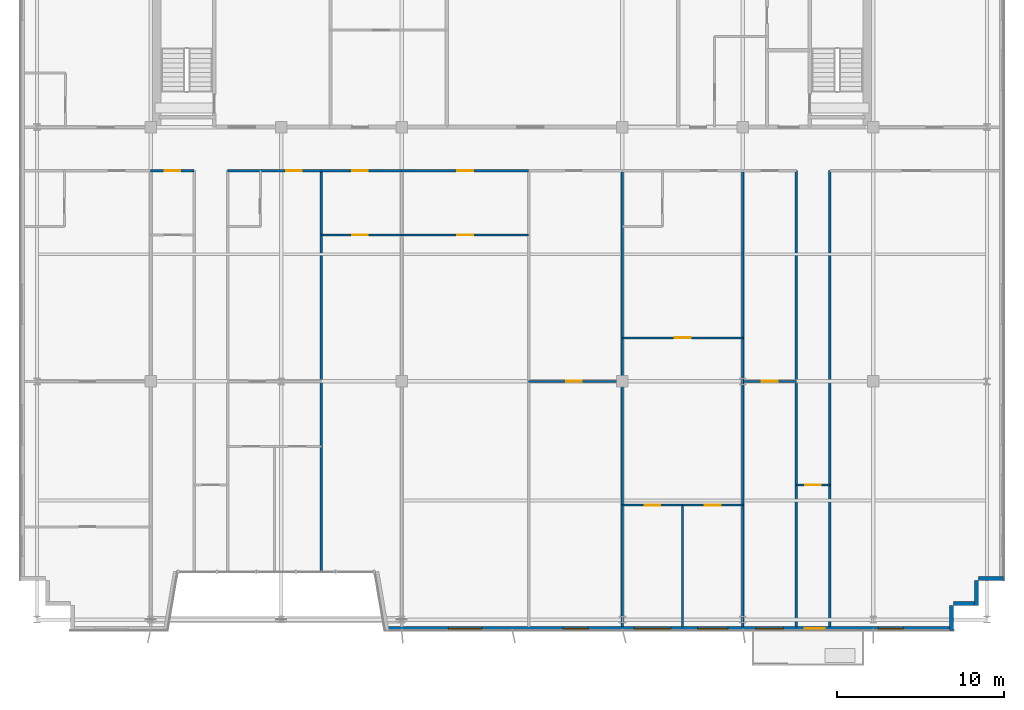
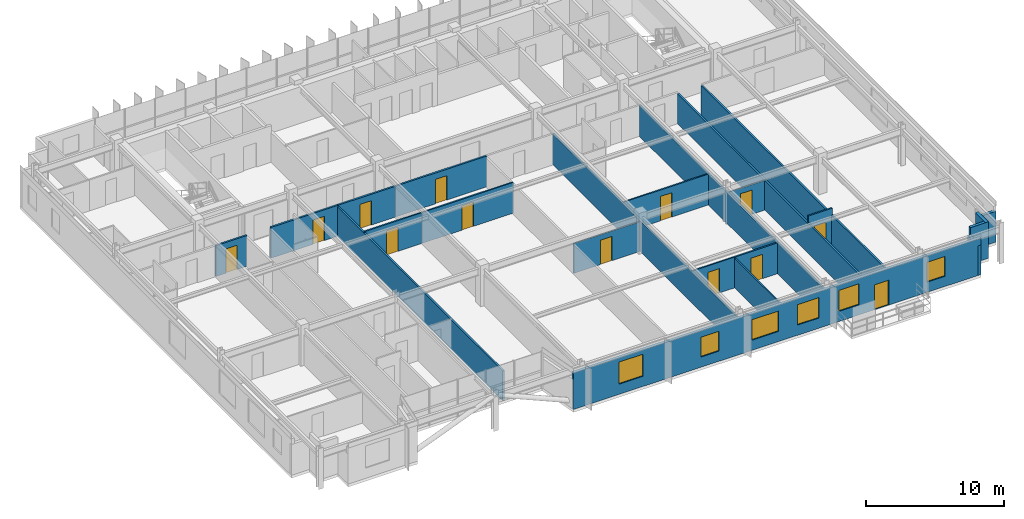
# One storey, part 19 of 24: 23 walls, 13 doors, 6 windows, 19 openings.
"""IFC4 building model written with IfcOpenShell, lengths in metres."""

import ifcopenshell
import ifcopenshell.guid

model = None  # the IFC model being written
_history = None  # IfcOwnerHistory: only IFC2X3 demands one
_inside = {}  # id of a spatial element -> (the spatial element, [elements in it])
_under = {}  # id of a project, library or spatial element -> (it, [spatial elements below it])
_declared = {}  # id of a project -> (the project, [libraries it declares])
_typed = {}  # id of a type object -> (the type object, [elements of that type])
_made_of = {}  # id of a material, layer set ... -> (it, [elements and type objects made of it])


def new_model(schema):
    """Start an empty IFC model of exactly this schema.

    Asked for "IFC4X3", IfcOpenShell would pick the latest addendum, in which some entities
    have other attributes; the version numbers below select the first issue.
    IFC2X3 requires an IfcOwnerHistory on every rooted entity: one is made here for all.
    """
    global model, _history
    if schema == "IFC4X3":
        model = ifcopenshell.file(schema_version=(4, 3, 0, 0))
    else:
        model = ifcopenshell.file(schema=schema)
    _inside.clear()
    _under.clear()
    _declared.clear()
    _typed.clear()
    _made_of.clear()
    _history = None
    if model.schema == "IFC2X3":
        org = make("IfcOrganization", Name="unknown")
        user = make(
            "IfcPersonAndOrganization",
            ThePerson=make("IfcPerson", FamilyName="unknown"),
            TheOrganization=org,
        )
        app = make(
            "IfcApplication",
            ApplicationDeveloper=org,
            Version="unknown",
            ApplicationFullName="unknown",
            ApplicationIdentifier="unknown",
        )
        _history = make(
            "IfcOwnerHistory",
            OwningUser=user,
            OwningApplication=app,
            ChangeAction="ADDED",
            CreationDate=0,
        )
    return model


def make(cls, **values):
    """One entity of the class cls with the attributes given. An attribute that is None is left unset."""
    return model.create_entity(
        cls, **{name: value for name, value in values.items() if value is not None}
    )


def rooted(cls, **values):
    """An entity with a GlobalId (a new one), such as an element, a storey or a relation."""
    return make(cls, GlobalId=ifcopenshell.guid.new(), OwnerHistory=_history, **values)


def si_unit(unit_type, name, prefix=None):
    """IfcSIUnit, for example si_unit("LENGTHUNIT", "METRE", prefix="MILLI")."""
    return make("IfcSIUnit", UnitType=unit_type, Prefix=prefix, Name=name)


def assignment(units):
    """IfcUnitAssignment: the units of a project."""
    return None if units is None else make("IfcUnitAssignment", Units=units)


def point(xyz):
    """IfcCartesianPoint."""
    return None if xyz is None else make("IfcCartesianPoint", Coordinates=xyz)


def direction(xyz):
    """IfcDirection."""
    return None if xyz is None else make("IfcDirection", DirectionRatios=xyz)


def frame(location, z_axis=None, x_axis=None):
    """IfcAxis2Placement3D, a coordinate frame: its origin and axes. An axis left out is left unset."""
    return make(
        "IfcAxis2Placement3D",
        Location=point(location),
        Axis=direction(z_axis),
        RefDirection=direction(x_axis),
    )


def frame_2d(location, x_axis=None):
    """IfcAxis2Placement2D, a coordinate frame in the plane: its origin and x axis."""
    return make(
        "IfcAxis2Placement2D", Location=point(location), RefDirection=direction(x_axis)
    )


def origin():
    """The frame at (0, 0, 0) with its axes left unset."""
    return frame((0.0, 0.0, 0.0))


def place(relative_to, where):
    """IfcLocalPlacement: puts the frame where relative to a parent placement (None: the world)."""
    return make(
        "IfcLocalPlacement", PlacementRelTo=relative_to, RelativePlacement=where
    )


def context(
    kind, dimensions, precision=None, world=None, true_north=None, identifier=None
):
    """IfcGeometricRepresentationContext, for example the 3D "Model" context."""
    return make(
        "IfcGeometricRepresentationContext",
        ContextIdentifier=identifier,
        ContextType=kind,
        CoordinateSpaceDimension=dimensions,
        Precision=precision,
        WorldCoordinateSystem=world,
        TrueNorth=true_north,
    )


def subcontext(parent, identifier, kind, view, scale=None):
    """IfcGeometricRepresentationSubContext, for example "Body" below "Model"."""
    return make(
        "IfcGeometricRepresentationSubContext",
        ContextIdentifier=identifier,
        ContextType=kind,
        ParentContext=parent,
        TargetScale=scale,
        TargetView=view,
    )


def project(units=None, contexts=None):
    """IfcProject with its units and contexts."""
    return rooted(
        "IfcProject",
        Name="project",
        RepresentationContexts=contexts,
        UnitsInContext=assignment(units),
    )


def spatial(cls, under=None, at=None, **own):
    """A site, building, storey or space (cls), placed at a placement, below another one or the project."""
    s = rooted(cls, ObjectPlacement=at, **own)
    if under is not None:
        _under.setdefault(under.id(), (under, []))[1].append(s)
    return s


def profile(cls, at=None, kind="AREA", **sizes):
    """A parametric profile (cls). Its sizes go by their IFC names, for example OverallWidth=200.0."""
    return make(cls, ProfileType=kind, Position=at, **sizes)


def rectangle(**sizes):
    """IfcRectangleProfileDef."""
    return profile("IfcRectangleProfileDef", **sizes)


def extrude(swept, where, along, depth):
    """IfcExtrudedAreaSolid: the profile swept, set in the frame where, extruded along a direction by depth."""
    return make(
        "IfcExtrudedAreaSolid",
        SweptArea=swept,
        Position=where,
        ExtrudedDirection=direction(along),
        Depth=depth,
    )


def shape(context_of_items, identifier, shape_type, items):
    """IfcShapeRepresentation: the items that make up one representation, for example the "Body"."""
    return make(
        "IfcShapeRepresentation",
        ContextOfItems=context_of_items,
        RepresentationIdentifier=identifier,
        RepresentationType=shape_type,
        Items=items,
    )


def source(mapping_origin, context_of_items, identifier, shape_type, items):
    """IfcRepresentationMap: a shape defined once, which mapped items show again and again."""
    return make(
        "IfcRepresentationMap",
        MappingOrigin=mapping_origin,
        MappedRepresentation=shape(context_of_items, identifier, shape_type, items),
    )


def transform(
    local_origin,
    x_axis=None,
    y_axis=None,
    z_axis=None,
    scale=None,
    scale2=None,
    scale3=None,
    uniform=True,
):
    """IfcCartesianTransformationOperator3D, or its non-uniform kind. x_axis, y_axis, z_axis: its Axis1, 2, 3."""
    if uniform:
        return make(
            "IfcCartesianTransformationOperator3D",
            Axis1=direction(x_axis),
            Axis2=direction(y_axis),
            LocalOrigin=point(local_origin),
            Scale=scale,
            Axis3=direction(z_axis),
        )
    return make(
        "IfcCartesianTransformationOperator3DnonUniform",
        Axis1=direction(x_axis),
        Axis2=direction(y_axis),
        LocalOrigin=point(local_origin),
        Scale=scale,
        Axis3=direction(z_axis),
        Scale2=scale2,
        Scale3=scale3,
    )


def mapped(mapping_source, mapping_target):
    """IfcMappedItem: shows the shape of a source again, moved by a transform."""
    return make(
        "IfcMappedItem", MappingSource=mapping_source, MappingTarget=mapping_target
    )


def material(Name=None, Category=None):
    """IfcMaterial."""
    return make("IfcMaterial", Name=Name, Category=Category)


def layer(
    of_material, thickness, ventilated=None, Name=None, Category=None, Priority=None
):
    """IfcMaterialLayer: one layer of a wall or slab, of a material (None: an air gap)."""
    return make(
        "IfcMaterialLayer",
        Material=of_material,
        LayerThickness=thickness,
        IsVentilated=ventilated,
        Name=Name,
        Category=Category,
        Priority=Priority,
    )


def layer_set(layers, Name=None):
    """IfcMaterialLayerSet."""
    return make("IfcMaterialLayerSet", MaterialLayers=layers, LayerSetName=Name)


def made_of(thing, what):
    """Note that an element or type object is made of a material, layer set ...; save() writes the relation."""
    if what is not None:
        _made_of.setdefault(what.id(), (what, []))[1].append(thing)
    return thing


def type_object(cls, material=None, **own):
    """A type object (cls), such as IfcWallType, which elements share."""
    return made_of(rooted(cls, **own), material)


def element(
    cls,
    number,
    at=None,
    inside=None,
    cuts=None,
    type_object=None,
    material=None,
    context=None,
    identifier="Body",
    shape_type=None,
    held_by="IfcProductDefinitionShape",
    body=None,
    shapes=None,
    **own,
):
    """One element of the class cls, such as IfcWall. Its Tag is "e" and its number.

    at: its placement. inside: the storey or other place that contains it. cuts: it is an
    opening in that element (IfcRelVoidsElement). A single representation is given by context,
    identifier, shape_type and body (its items); several are given by shapes. held_by: the class
    of the entity that holds the representations. save() writes the other relations.
    """
    e = rooted(cls, Tag="e%d" % number, ObjectPlacement=at, **own)
    if body is not None:
        shapes = [shape(context, identifier, shape_type, body)]
    if shapes is not None:
        e.Representation = make(held_by, Representations=shapes)
    if inside is not None:
        _inside.setdefault(inside.id(), (inside, []))[1].append(e)
    if cuts is not None:
        rooted(
            "IfcRelVoidsElement", RelatingBuildingElement=cuts, RelatedOpeningElement=e
        )
    if type_object is not None:
        _typed.setdefault(type_object.id(), (type_object, []))[1].append(e)
    return made_of(e, material)


def fill(opening, filler):
    """IfcRelFillsElement: the door or window that sits in an opening."""
    return rooted(
        "IfcRelFillsElement",
        RelatingOpeningElement=opening,
        RelatedBuildingElement=filler,
    )


def aggregate(whole, parts):
    """IfcRelAggregates: a whole, such as a stair, and the parts it consists of."""
    return rooted("IfcRelAggregates", RelatingObject=whole, RelatedObjects=parts)


def save(model, path):
    """Write the relations noted so far, then the file.

    IfcRelAggregates (storeys below a building ...), IfcRelContainedInSpatialStructure (elements
    in a storey), IfcRelDefinesByType, IfcRelAssociatesMaterial and IfcRelDeclares: one each for
    every whole, place, type object, material and project.
    """
    for whole, parts in _under.values():
        aggregate(whole, parts)
    for where, things in _inside.values():
        rooted(
            "IfcRelContainedInSpatialStructure",
            RelatedElements=things,
            RelatingStructure=where,
        )
    for kind, things in _typed.values():
        rooted("IfcRelDefinesByType", RelatedObjects=things, RelatingType=kind)
    for what, things in _made_of.values():
        rooted("IfcRelAssociatesMaterial", RelatedObjects=things, RelatingMaterial=what)
    for by, libraries in _declared.values():
        rooted("IfcRelDeclares", RelatingContext=by, RelatedDefinitions=libraries)
    model.write(path)


model = new_model("IFC4")

# Units and contexts
model_context = context("Model", 3, precision=1e-05, world=origin(), true_north=direction((0.0, 1.0)))
body_context = subcontext(model_context, "Body", "Model", "MODEL_VIEW")
ifc_project = project(units=[si_unit("LENGTHUNIT", "METRE"), si_unit("AREAUNIT", "SQUARE_METRE"), si_unit("VOLUMEUNIT", "CUBIC_METRE"), si_unit("PLANEANGLEUNIT", "RADIAN"), si_unit("MASSUNIT", "GRAM", prefix="KILO")], contexts=[model_context])

# Site, building, storey
site_placement = place(None, origin())
site = spatial("IfcSite", under=ifc_project, at=site_placement, CompositionType="ELEMENT")
building_placement = place(site_placement, origin())
building = spatial("IfcBuilding", under=site, at=building_placement, Name="Trelvane Seafront Commons", CompositionType="ELEMENT")
storey_placement = place(building_placement, frame((0.0, 0.0, 178.89990234375)))
storey = spatial("IfcBuildingStorey", under=building, at=storey_placement, Name="L47", CompositionType="ELEMENT", Elevation=178.89990234375)

# Walls
ifc_material_1 = material(Name="Precast concrete C40/50", Category="concrete")
ifc_layer_1 = layer(ifc_material_1, 0.239990234375, Name="ARCH-WALL-EXT240")
ifc_layer_set_1 = layer_set([ifc_layer_1], Name="Precast concrete C40/50")
wall_type_1 = type_object("IfcWallType", Name="ARCH-WALL-EXT240", PredefinedType="SOLIDWALL", material=ifc_layer_set_1)
wall_1_placement = place(storey_placement, frame((66.60009765625, 6.419921875, 0.0), z_axis=(0.0, 0.0, 1.0), x_axis=(-1.0, 0.0, 0.0)))
element("IfcWall", 1, at=wall_1_placement, inside=storey, type_object=wall_type_1, Name="EW-L47-00948", PredefinedType="SOLIDWALL", context=body_context, shape_type="SweptSolid", body=[
    extrude(rectangle(XDim=1.5, YDim=0.239990234375, at=frame_2d((0.75, 0.0))), origin(), (0.0, 0.0, 1.0), 2.72021484375),
])
for number, where, z_axis, x_axis, name in (
    (2, (64.97998046875, 6.300048828125, 0.0), (0.0, 0.0, 1.0), (0.0, -1.0, 0.0), "EW-L47-00949"),
    (3, (65.10009765625, 4.919921875, 0.0), (0.0, 0.0, 1.0), (-1.0, 0.0, 0.0), "EW-L47-00950"),
):
    element("IfcWall", number, at=place(storey_placement, frame(where, z_axis=z_axis, x_axis=x_axis)), inside=storey, type_object=wall_type_1, Name=name, PredefinedType="SOLIDWALL", context=body_context, shape_type="SweptSolid", body=[
        extrude(rectangle(XDim=1.5, YDim=0.239990234375, at=frame_2d((0.75, 0.0))), origin(), (0.0, 0.0, 1.0), 3.22021484375),
    ])
wall_2_placement = place(storey_placement, frame((63.47998046875, 4.800048828125, 0.0), z_axis=(0.0, 0.0, 1.0), x_axis=(0.0, -1.0, 0.0)))
element("IfcWall", 4, at=wall_2_placement, inside=storey, type_object=wall_type_1, Name="EW-L47-00951", PredefinedType="SOLIDWALL", context=body_context, shape_type="SweptSolid", body=[
    extrude(rectangle(XDim=1.5, YDim=0.239990234375, at=frame_2d((0.75, 0.0))), origin(), (0.0, 0.0, 1.0), 2.6201171875),
])

# Wall, openings, door, windows
wall_3_placement = place(storey_placement, frame((63.60009765625, 3.419921875, 0.0), z_axis=(0.0, 0.0, 1.0), x_axis=(-1.0, 0.0, 0.0)))
wall_3 = element("IfcWall", 5, at=wall_3_placement, inside=storey, type_object=wall_type_1, Name="EW-L47-00952", PredefinedType="SOLIDWALL", context=body_context, shape_type="SweptSolid", body=[
    extrude(rectangle(XDim=34.0, YDim=0.239990234375, at=frame_2d((17.0, 0.0))), origin(), (0.0, 0.0, 1.0), 3.22021484375),
])
opening_1_placement = place(wall_3_placement, frame((2.9951171875, 0.0, 0.89990234375)))
opening_1 = element("IfcOpeningElement", 6, at=opening_1_placement, cuts=wall_3, Name="Opening W03", PredefinedType="OPENING", context=body_context, shape_type="SweptSolid", body=[
    extrude(rectangle(XDim=1.5, YDim=1.75, at=frame_2d((0.75, 0.875))), frame((0.0, 0.1298828125, 0.0), z_axis=(0.0, -1.0, 0.0), x_axis=(1.0, 0.0, 0.0)), (0.0, 0.0, 1.0), 0.260009765625),
])
opening_2_placement = place(wall_3_placement, frame((7.68994140625, 0.0, 0.0)))
opening_2 = element("IfcOpeningElement", 7, at=opening_2_placement, cuts=wall_3, Name="Opening BD-L47-106", PredefinedType="OPENING", context=body_context, shape_type="SweptSolid", body=[
    extrude(rectangle(XDim=1.199951171875, YDim=2.199951171875, at=frame_2d((0.60009765625, 1.10009765625))), frame((0.0, 0.1298828125, 0.0), z_axis=(0.0, -1.0, 0.0), x_axis=(1.0, 0.0, 0.0)), (0.0, 0.0, 1.0), 0.260009765625),
])
opening_3_placement = place(wall_3_placement, frame((10.175048828125, 0.0, 0.89990234375)))
opening_3 = element("IfcOpeningElement", 8, at=opening_3_placement, cuts=wall_3, Name="Opening W07", PredefinedType="OPENING", context=body_context, shape_type="SweptSolid", body=[
    extrude(rectangle(XDim=1.64990234375, YDim=1.85009765625, at=frame_2d((0.824951171875, 0.925048828125))), frame((0.0, 0.1298828125, 0.0), z_axis=(0.0, -1.0, 0.0), x_axis=(1.0, 0.0, 0.0)), (0.0, 0.0, 1.0), 0.260009765625),
])
opening_4_placement = place(wall_3_placement, frame((13.5, 0.0, 0.89990234375)))
opening_4 = element("IfcOpeningElement", 9, at=opening_4_placement, cuts=wall_3, Name="Opening W01", PredefinedType="OPENING", context=body_context, shape_type="SweptSolid", body=[
    extrude(rectangle(XDim=1.800048828125, YDim=1.800048828125, at=frame_2d((0.89990234375, 0.89990234375))), frame((0.0, 0.1298828125, 0.0), z_axis=(0.0, -1.0, 0.0), x_axis=(1.0, 0.0, 0.0)), (0.0, 0.0, 1.0), 0.260009765625),
])
opening_5_placement = place(wall_3_placement, frame((16.89990234375, 0.0, 0.89990234375)))
opening_5 = element("IfcOpeningElement", 10, at=opening_5_placement, cuts=wall_3, Name="Opening W02", PredefinedType="OPENING", context=body_context, shape_type="SweptSolid", body=[
    extrude(rectangle(XDim=2.199951171875, YDim=1.800048828125, at=frame_2d((1.10009765625, 0.89990234375))), frame((0.0, 0.1298828125, 0.0), z_axis=(0.0, -1.0, 0.0), x_axis=(1.0, 0.0, 0.0)), (0.0, 0.0, 1.0), 0.260009765625),
])
opening_6_placement = place(wall_3_placement, frame((21.85009765625, 0.0, 0.89990234375)))
opening_6 = element("IfcOpeningElement", 11, at=opening_6_placement, cuts=wall_3, Name="Opening W03", PredefinedType="OPENING", context=body_context, shape_type="SweptSolid", body=[
    extrude(rectangle(XDim=1.5, YDim=1.75, at=frame_2d((0.75, 0.875))), frame((0.0, 0.1298828125, 0.0), z_axis=(0.0, -1.0, 0.0), x_axis=(1.0, 0.0, 0.0)), (0.0, 0.0, 1.0), 0.260009765625),
])
opening_7_placement = place(wall_3_placement, frame((28.199951171875, 0.0, 0.89990234375)))
opening_7 = element("IfcOpeningElement", 12, at=opening_7_placement, cuts=wall_3, Name="Opening W06", PredefinedType="OPENING", context=body_context, shape_type="SweptSolid", body=[
    extrude(rectangle(XDim=2.0, YDim=1.949951171875, at=frame_2d((1.0, 0.97509765625))), frame((0.0, 0.1298828125, 0.0), z_axis=(0.0, -1.0, 0.0), x_axis=(1.0, 0.0, 0.0)), (0.0, 0.0, 1.0), 0.260009765625),
])
ifc_material_2 = material(Name="Powder-coated aluminium frame", Category="aluminium")
door_type_1 = type_object("IfcDoorType", Name="ARCH-DR-BAL1200", OperationType="NOTDEFINED", PredefinedType="DOOR", material=ifc_material_2)
shared_shape_1 = source(origin(), body_context, "Body", "SweptSolid", [
    extrude(rectangle(XDim=1.199951171875, YDim=2.199951171875, at=frame_2d((0.60009765625, 1.10009765625))), frame((0.0, 0.02490234375, 0.0), z_axis=(0.0, -1.0, 0.0), x_axis=(1.0, 0.0, 0.0)), (0.0, 0.0, 1.0), 0.050048828125),
])
door_1_placement = place(opening_2_placement, origin())
door_1 = element("IfcDoor", 13, at=door_1_placement, inside=storey, type_object=door_type_1, Name="L47 Balcony Terrace Access Door", OperationType="SINGLE_SWING_LEFT", OverallHeight=2.199951171875, OverallWidth=1.199951171875, PredefinedType="DOOR", context=body_context, shape_type="MappedRepresentation", body=[
    mapped(shared_shape_1, transform((0.0, 0.0, 0.0), x_axis=(1.0, 0.0, 0.0), y_axis=(0.0, 1.0, 0.0), z_axis=(0.0, 0.0, 1.0), scale=1.0)),
])
fill(opening_2, door_1)
ifc_material_3 = material(Name="Low-E coastal double glazing", Category="glass")
window_type_1 = type_object("IfcWindowType", Name="ARCH-WIN-W02", PartitioningType="SINGLE_PANEL", PredefinedType="WINDOW", material=ifc_material_3)
shared_shape_2 = source(origin(), body_context, "Body", "SweptSolid", [
    extrude(rectangle(XDim=2.199951171875, YDim=1.800048828125, at=frame_2d((1.10009765625, 0.89990234375))), frame((0.0, 0.030029296875, 0.0), z_axis=(0.0, -1.0, 0.0), x_axis=(1.0, 0.0, 0.0)), (0.0, 0.0, 1.0), 0.06005859375),
])
window_1_placement = place(opening_5_placement, origin())
window_1 = element("IfcWindow", 14, at=window_1_placement, inside=storey, type_object=window_type_1, Name="WIN-L47-01130", OverallHeight=1.800048828125, OverallWidth=2.199951171875, PartitioningType="SINGLE_PANEL", PredefinedType="WINDOW", context=body_context, shape_type="MappedRepresentation", body=[
    mapped(shared_shape_2, transform((0.0, 0.0, 0.0), x_axis=(1.0, 0.0, 0.0), y_axis=(0.0, 1.0, 0.0), z_axis=(0.0, 0.0, 1.0), scale=1.0)),
])
fill(opening_5, window_1)
window_type_2 = type_object("IfcWindowType", Name="ARCH-WIN-W03", PartitioningType="SINGLE_PANEL", PredefinedType="WINDOW", material=ifc_material_3)
shared_shape_3 = source(origin(), body_context, "Body", "SweptSolid", [
    extrude(rectangle(XDim=1.5, YDim=1.75, at=frame_2d((0.75, 0.875))), frame((0.0, 0.030029296875, 0.0), z_axis=(0.0, -1.0, 0.0), x_axis=(1.0, 0.0, 0.0)), (0.0, 0.0, 1.0), 0.06005859375),
])
window_2_placement = place(opening_1_placement, origin())
window_2 = element("IfcWindow", 15, at=window_2_placement, inside=storey, type_object=window_type_2, Name="WIN-L47-01127", OverallHeight=1.75, OverallWidth=1.5, PartitioningType="SINGLE_PANEL", PredefinedType="WINDOW", context=body_context, shape_type="MappedRepresentation", body=[
    mapped(shared_shape_3, transform((0.0, 0.0, 0.0), x_axis=(1.0, 0.0, 0.0), y_axis=(0.0, 1.0, 0.0), z_axis=(0.0, 0.0, 1.0), scale=1.0)),
])
fill(opening_1, window_2)
window_3_placement = place(opening_6_placement, origin())
window_3 = element("IfcWindow", 16, at=window_3_placement, inside=storey, type_object=window_type_2, Name="WIN-L47-01131", OverallHeight=1.75, OverallWidth=1.5, PartitioningType="SINGLE_PANEL", PredefinedType="WINDOW", context=body_context, shape_type="MappedRepresentation", body=[
    mapped(shared_shape_3, transform((0.0, 0.0, 0.0), x_axis=(1.0, 0.0, 0.0), y_axis=(0.0, 1.0, 0.0), z_axis=(0.0, 0.0, 1.0), scale=1.0)),
])
fill(opening_6, window_3)
window_type_3 = type_object("IfcWindowType", Name="ARCH-WIN-W06", PartitioningType="SINGLE_PANEL", PredefinedType="WINDOW", material=ifc_material_3)
shared_shape_4 = source(origin(), body_context, "Body", "SweptSolid", [
    extrude(rectangle(XDim=2.0, YDim=1.949951171875, at=frame_2d((1.0, 0.97509765625))), frame((0.0, 0.030029296875, 0.0), z_axis=(0.0, -1.0, 0.0), x_axis=(1.0, 0.0, 0.0)), (0.0, 0.0, 1.0), 0.06005859375),
])
window_4_placement = place(opening_7_placement, origin())
window_4 = element("IfcWindow", 17, at=window_4_placement, inside=storey, type_object=window_type_3, Name="WIN-L47-01132", OverallHeight=1.949951171875, OverallWidth=2.0, PartitioningType="SINGLE_PANEL", PredefinedType="WINDOW", context=body_context, shape_type="MappedRepresentation", body=[
    mapped(shared_shape_4, transform((0.0, 0.0, 0.0), x_axis=(1.0, 0.0, 0.0), y_axis=(0.0, 1.0, 0.0), z_axis=(0.0, 0.0, 1.0), scale=1.0)),
])
fill(opening_7, window_4)
window_type_4 = type_object("IfcWindowType", Name="ARCH-WIN-W01", PartitioningType="SINGLE_PANEL", PredefinedType="WINDOW", material=ifc_material_3)
shared_shape_5 = source(origin(), body_context, "Body", "SweptSolid", [
    extrude(rectangle(XDim=1.800048828125, YDim=1.800048828125, at=frame_2d((0.89990234375, 0.89990234375))), frame((0.0, 0.030029296875, 0.0), z_axis=(0.0, -1.0, 0.0), x_axis=(1.0, 0.0, 0.0)), (0.0, 0.0, 1.0), 0.06005859375),
])
window_5_placement = place(opening_4_placement, origin())
window_5 = element("IfcWindow", 18, at=window_5_placement, inside=storey, type_object=window_type_4, Name="WIN-L47-01129", OverallHeight=1.800048828125, OverallWidth=1.800048828125, PartitioningType="SINGLE_PANEL", PredefinedType="WINDOW", context=body_context, shape_type="MappedRepresentation", body=[
    mapped(shared_shape_5, transform((0.0, 0.0, 0.0), x_axis=(1.0, 0.0, 0.0), y_axis=(0.0, 1.0, 0.0), z_axis=(0.0, 0.0, 1.0), scale=1.0)),
])
fill(opening_4, window_5)
window_type_5 = type_object("IfcWindowType", Name="ARCH-WIN-W07", PartitioningType="SINGLE_PANEL", PredefinedType="WINDOW", material=ifc_material_3)
shared_shape_6 = source(origin(), body_context, "Body", "SweptSolid", [
    extrude(rectangle(XDim=1.64990234375, YDim=1.85009765625, at=frame_2d((0.824951171875, 0.925048828125))), frame((0.0, 0.030029296875, 0.0), z_axis=(0.0, -1.0, 0.0), x_axis=(1.0, 0.0, 0.0)), (0.0, 0.0, 1.0), 0.06005859375),
])
window_6_placement = place(opening_3_placement, origin())
window_6 = element("IfcWindow", 19, at=window_6_placement, inside=storey, type_object=window_type_5, Name="WIN-L47-01128", OverallHeight=1.85009765625, OverallWidth=1.64990234375, PartitioningType="SINGLE_PANEL", PredefinedType="WINDOW", context=body_context, shape_type="MappedRepresentation", body=[
    mapped(shared_shape_6, transform((0.0, 0.0, 0.0), x_axis=(1.0, 0.0, 0.0), y_axis=(0.0, 1.0, 0.0), z_axis=(0.0, 0.0, 1.0), scale=1.0)),
])
fill(opening_3, window_6)

# Wall, opening, door
ifc_material_4 = material(Name="Gypsum Drywall Acoustic Partition")
ifc_layer_2 = layer(ifc_material_4, 0.1201171875, Name="ARCH-WALL-PART120")
ifc_layer_set_2 = layer_set([ifc_layer_2], Name="Gypsum Drywall Acoustic Partition")
wall_type_2 = type_object("IfcWallType", Name="ARCH-WALL-PART120", PredefinedType="PARTITIONING", material=ifc_layer_set_2)
wall_4_placement = place(storey_placement, frame((25.800048828125, 26.949951171875, 0.0), z_axis=(0.0, 0.0, 1.0), x_axis=(1.0, 0.0, 0.0)))
wall_4 = element("IfcWall", 20, at=wall_4_placement, inside=storey, type_object=wall_type_2, Name="W-L47-U5-DIV-070", PredefinedType="PARTITIONING", context=body_context, shape_type="SweptSolid", body=[
    extrude(rectangle(XDim=4.800048828125, YDim=0.1201171875, at=frame_2d((2.39990234375, 0.0))), origin(), (0.0, 0.0, 1.0), 2.72021484375),
])
opening_8_placement = place(wall_4_placement, frame((1.833984375, 0.0, 0.0)))
opening_8 = element("IfcOpeningElement", 21, at=opening_8_placement, cuts=wall_4, Name="Opening D-L47-40", PredefinedType="OPENING", context=body_context, shape_type="SweptSolid", body=[
    extrude(rectangle(XDim=0.949951171875, YDim=2.14990234375, at=frame_2d((0.47509765625, 1.074951171875))), frame((0.0, 0.070068359375, 0.0), z_axis=(0.0, -1.0, 0.0), x_axis=(1.0, 0.0, 0.0)), (0.0, 0.0, 1.0), 0.14013671875),
])
ifc_material_5 = material(Name="Acoustic timber door leaf", Category="wood")
door_type_2 = type_object("IfcDoorType", Name="ARCH-DR-INT950", OperationType="NOTDEFINED", PredefinedType="DOOR", material=ifc_material_5)
shared_shape_7 = source(origin(), body_context, "Body", "SweptSolid", [
    extrude(rectangle(XDim=0.949951171875, YDim=2.14990234375, at=frame_2d((0.47509765625, 1.074951171875))), frame((0.0, 0.02490234375, 0.0), z_axis=(0.0, -1.0, 0.0), x_axis=(1.0, 0.0, 0.0)), (0.0, 0.0, 1.0), 0.050048828125),
])
door_2_placement = place(opening_8_placement, origin())
door_2 = element("IfcDoor", 22, at=door_2_placement, inside=storey, type_object=door_type_2, Name="L47 Door 40", OperationType="SINGLE_SWING_RIGHT", OverallHeight=2.14990234375, OverallWidth=0.949951171875, PredefinedType="DOOR", context=body_context, shape_type="MappedRepresentation", body=[
    mapped(shared_shape_7, transform((0.0, 0.0, 0.0), x_axis=(1.0, 0.0, 0.0), y_axis=(0.0, 1.0, 0.0), z_axis=(0.0, 0.0, 1.0), scale=1.0)),
])
fill(opening_8, door_2)

wall_5_placement = place(storey_placement, frame((30.60009765625, 26.949951171875, 0.0), z_axis=(0.0, 0.0, 1.0), x_axis=(1.0, 0.0, 0.0)))
wall_5 = element("IfcWall", 23, at=wall_5_placement, inside=storey, type_object=wall_type_2, Name="W-L47-U6-DIV-072", PredefinedType="PARTITIONING", context=body_context, shape_type="SweptSolid", body=[
    extrude(rectangle(XDim=7.599853515625, YDim=0.1201171875, at=frame_2d((3.7998046875, 0.0))), origin(), (0.0, 0.0, 1.0), 2.72021484375),
])
opening_9_placement = place(wall_5_placement, frame((3.324951171875, 0.0, 0.0)))
opening_9 = element("IfcOpeningElement", 24, at=opening_9_placement, cuts=wall_5, Name="Opening D-L47-42", PredefinedType="OPENING", context=body_context, shape_type="SweptSolid", body=[
    extrude(rectangle(XDim=0.949951171875, YDim=2.14990234375, at=frame_2d((0.47509765625, 1.074951171875))), frame((0.0, 0.070068359375, 0.0), z_axis=(0.0, -1.0, 0.0), x_axis=(1.0, 0.0, 0.0)), (0.0, 0.0, 1.0), 0.14013671875),
])
door_3_placement = place(opening_9_placement, origin())
door_3 = element("IfcDoor", 25, at=door_3_placement, inside=storey, type_object=door_type_2, Name="L47 Door 42", OperationType="SINGLE_SWING_RIGHT", OverallHeight=2.14990234375, OverallWidth=0.949951171875, PredefinedType="DOOR", context=body_context, shape_type="MappedRepresentation", body=[
    mapped(shared_shape_7, transform((0.0, 0.0, 0.0), x_axis=(1.0, 0.0, 0.0), y_axis=(0.0, 1.0, 0.0), z_axis=(0.0, 0.0, 1.0), scale=1.0)),
])
fill(opening_9, door_3)

wall_6_placement = place(storey_placement, frame((38.199951171875, 18.199951171875, 0.0), z_axis=(0.0, 0.0, 1.0), x_axis=(1.0, 0.0, 0.0)))
wall_6 = element("IfcWall", 26, at=wall_6_placement, inside=storey, type_object=wall_type_2, Name="W-L47-U7-DIV-074", PredefinedType="PARTITIONING", context=body_context, shape_type="SweptSolid", body=[
    extrude(rectangle(XDim=5.60009765625, YDim=0.1201171875, at=frame_2d((2.800048828125, 0.0))), origin(), (0.0, 0.0, 1.0), 2.6201171875),
])
opening_10_placement = place(wall_6_placement, frame((2.23193359375, 0.0, 0.0)))
opening_10 = element("IfcOpeningElement", 27, at=opening_10_placement, cuts=wall_6, Name="Opening D-L47-44", PredefinedType="OPENING", context=body_context, shape_type="SweptSolid", body=[
    extrude(rectangle(XDim=0.949951171875, YDim=2.14990234375, at=frame_2d((0.47509765625, 1.074951171875))), frame((0.0, 0.070068359375, 0.0), z_axis=(0.0, -1.0, 0.0), x_axis=(1.0, 0.0, 0.0)), (0.0, 0.0, 1.0), 0.14013671875),
])
door_4_placement = place(opening_10_placement, origin())
door_4 = element("IfcDoor", 28, at=door_4_placement, inside=storey, type_object=door_type_2, Name="L47 Door 44", OperationType="SINGLE_SWING_RIGHT", OverallHeight=2.14990234375, OverallWidth=0.949951171875, PredefinedType="DOOR", context=body_context, shape_type="MappedRepresentation", body=[
    mapped(shared_shape_7, transform((0.0, 0.0, 0.0), x_axis=(1.0, 0.0, 0.0), y_axis=(0.0, 1.0, 0.0), z_axis=(0.0, 0.0, 1.0), scale=1.0)),
])
fill(opening_10, door_4)

wall_7_placement = place(storey_placement, frame((43.800048828125, 20.800048828125, 0.0), z_axis=(0.0, 0.0, 1.0), x_axis=(1.0, 0.0, 0.0)))
wall_7 = element("IfcWall", 29, at=wall_7_placement, inside=storey, type_object=wall_type_2, Name="W-L47-U8-KL-075", PredefinedType="PARTITIONING", context=body_context, shape_type="SweptSolid", body=[
    extrude(rectangle(XDim=7.199951171875, YDim=0.1201171875, at=frame_2d((3.60009765625, 0.0))), origin(), (0.0, 0.0, 1.0), 2.72021484375),
])
opening_11_placement = place(wall_7_placement, frame((3.125, 0.0, 0.0)))
opening_11 = element("IfcOpeningElement", 30, at=opening_11_placement, cuts=wall_7, Name="Opening D-L47-45", PredefinedType="OPENING", context=body_context, shape_type="SweptSolid", body=[
    extrude(rectangle(XDim=0.949951171875, YDim=2.14990234375, at=frame_2d((0.47509765625, 1.074951171875))), frame((0.0, 0.070068359375, 0.0), z_axis=(0.0, -1.0, 0.0), x_axis=(1.0, 0.0, 0.0)), (0.0, 0.0, 1.0), 0.14013671875),
])
door_5_placement = place(opening_11_placement, origin())
door_5 = element("IfcDoor", 31, at=door_5_placement, inside=storey, type_object=door_type_2, Name="L47 Door 45", OperationType="SINGLE_SWING_LEFT", OverallHeight=2.14990234375, OverallWidth=0.949951171875, PredefinedType="DOOR", context=body_context, shape_type="MappedRepresentation", body=[
    mapped(shared_shape_7, transform((0.0, 0.0, 0.0), x_axis=(1.0, 0.0, 0.0), y_axis=(0.0, 1.0, 0.0), z_axis=(0.0, 0.0, 1.0), scale=1.0)),
])
fill(opening_11, door_5)

wall_8_placement = place(storey_placement, frame((43.800048828125, 10.800048828125, 0.0), z_axis=(0.0, 0.0, 1.0), x_axis=(1.0, 0.0, 0.0)))
wall_8 = element("IfcWall", 32, at=wall_8_placement, inside=storey, type_object=wall_type_2, Name="W-L47-U8-YM-1-079", PredefinedType="PARTITIONING", context=body_context, shape_type="SweptSolid", body=[
    extrude(rectangle(XDim=3.599853515625, YDim=0.1201171875, at=frame_2d((1.7998046875, 0.0))), origin(), (0.0, 0.0, 1.0), 2.72021484375),
])
opening_12_placement = place(wall_8_placement, frame((1.324951171875, 0.0, 0.0)))
opening_12 = element("IfcOpeningElement", 33, at=opening_12_placement, cuts=wall_8, Name="Opening D-L47-48", PredefinedType="OPENING", context=body_context, shape_type="SweptSolid", body=[
    extrude(rectangle(XDim=0.949951171875, YDim=2.14990234375, at=frame_2d((0.47509765625, 1.074951171875))), frame((0.0, 0.070068359375, 0.0), z_axis=(0.0, -1.0, 0.0), x_axis=(1.0, 0.0, 0.0)), (0.0, 0.0, 1.0), 0.14013671875),
])
door_6_placement = place(opening_12_placement, origin())
door_6 = element("IfcDoor", 34, at=door_6_placement, inside=storey, type_object=door_type_2, Name="L47 Door 48", OperationType="SINGLE_SWING_RIGHT", OverallHeight=2.14990234375, OverallWidth=0.949951171875, PredefinedType="DOOR", context=body_context, shape_type="MappedRepresentation", body=[
    mapped(shared_shape_7, transform((0.0, 0.0, 0.0), x_axis=(1.0, 0.0, 0.0), y_axis=(0.0, 1.0, 0.0), z_axis=(0.0, 0.0, 1.0), scale=1.0)),
])
fill(opening_12, door_6)

wall_9_placement = place(storey_placement, frame((47.39990234375, 10.800048828125, 0.0), z_axis=(0.0, 0.0, 1.0), x_axis=(1.0, 0.0, 0.0)))
wall_9 = element("IfcWall", 35, at=wall_9_placement, inside=storey, type_object=wall_type_2, Name="W-L47-U8-YM-2-080", PredefinedType="PARTITIONING", context=body_context, shape_type="SweptSolid", body=[
    extrude(rectangle(XDim=3.60009765625, YDim=0.1201171875, at=frame_2d((1.800048828125, 0.0))), origin(), (0.0, 0.0, 1.0), 2.72021484375),
])
opening_13_placement = place(wall_9_placement, frame((1.324951171875, 0.0, 0.0)))
opening_13 = element("IfcOpeningElement", 36, at=opening_13_placement, cuts=wall_9, Name="Opening D-L47-49", PredefinedType="OPENING", context=body_context, shape_type="SweptSolid", body=[
    extrude(rectangle(XDim=0.949951171875, YDim=2.14990234375, at=frame_2d((0.47509765625, 1.074951171875))), frame((0.0, 0.070068359375, 0.0), z_axis=(0.0, -1.0, 0.0), x_axis=(1.0, 0.0, 0.0)), (0.0, 0.0, 1.0), 0.14013671875),
])
door_7_placement = place(opening_13_placement, origin())
door_7 = element("IfcDoor", 37, at=door_7_placement, inside=storey, type_object=door_type_2, Name="L47 Door 49", OperationType="SINGLE_SWING_LEFT", OverallHeight=2.14990234375, OverallWidth=0.949951171875, PredefinedType="DOOR", context=body_context, shape_type="MappedRepresentation", body=[
    mapped(shared_shape_7, transform((0.0, 0.0, 0.0), x_axis=(1.0, 0.0, 0.0), y_axis=(0.0, 1.0, 0.0), z_axis=(0.0, 0.0, 1.0), scale=1.0)),
])
fill(opening_13, door_7)

# Wall
wall_10_placement = place(storey_placement, frame((47.39990234375, 3.52490234375, 0.0), z_axis=(0.0, 0.0, 1.0), x_axis=(0.0, 1.0, 0.0)))
element("IfcWall", 38, at=wall_10_placement, inside=storey, type_object=wall_type_2, Name="W-L47-U8-BDV-1-081", PredefinedType="PARTITIONING", context=body_context, shape_type="SweptSolid", body=[
    extrude(rectangle(XDim=7.275146484375, YDim=0.1201171875, at=frame_2d((3.6376953125, 0.0))), origin(), (0.0, 0.0, 1.0), 2.6201171875),
])

# Wall, opening, door
wall_11_placement = place(storey_placement, frame((51.0, 18.199951171875, 0.0), z_axis=(0.0, 0.0, 1.0), x_axis=(1.0, 0.0, 0.0)))
wall_11 = element("IfcWall", 39, at=wall_11_placement, inside=storey, type_object=wall_type_2, Name="W-L47-U9-DIV-083", PredefinedType="PARTITIONING", context=body_context, shape_type="SweptSolid", body=[
    extrude(rectangle(XDim=3.199951171875, YDim=0.1201171875, at=frame_2d((1.60009765625, 0.0))), origin(), (0.0, 0.0, 1.0), 2.6201171875),
])
opening_14_placement = place(wall_11_placement, frame((1.125, 0.0, 0.0)))
opening_14 = element("IfcOpeningElement", 40, at=opening_14_placement, cuts=wall_11, Name="Opening D-L47-51", PredefinedType="OPENING", context=body_context, shape_type="SweptSolid", body=[
    extrude(rectangle(XDim=0.949951171875, YDim=2.14990234375, at=frame_2d((0.47509765625, 1.074951171875))), frame((0.0, 0.070068359375, 0.0), z_axis=(0.0, -1.0, 0.0), x_axis=(1.0, 0.0, 0.0)), (0.0, 0.0, 1.0), 0.14013671875),
])
door_8_placement = place(opening_14_placement, origin())
door_8 = element("IfcDoor", 41, at=door_8_placement, inside=storey, type_object=door_type_2, Name="L47 Door 51", OperationType="SINGLE_SWING_LEFT", OverallHeight=2.14990234375, OverallWidth=0.949951171875, PredefinedType="DOOR", context=body_context, shape_type="MappedRepresentation", body=[
    mapped(shared_shape_7, transform((0.0, 0.0, 0.0), x_axis=(1.0, 0.0, 0.0), y_axis=(0.0, 1.0, 0.0), z_axis=(0.0, 0.0, 1.0), scale=1.0)),
])
fill(opening_14, door_8)

wall_12_placement = place(storey_placement, frame((54.199951171875, 12.0, 0.0), z_axis=(0.0, 0.0, 1.0), x_axis=(1.0, 0.0, 0.0)))
wall_12 = element("IfcWall", 42, at=wall_12_placement, inside=storey, type_object=wall_type_2, Name="W-L47-ARM-END-10-086", PredefinedType="PARTITIONING", context=body_context, shape_type="SweptSolid", body=[
    extrude(rectangle(XDim=2.0, YDim=0.1201171875, at=frame_2d((1.0, 0.0))), origin(), (0.0, 0.0, 1.0), 3.22021484375),
])
opening_15_placement = place(wall_12_placement, frame((0.52001953125, 0.0, 0.0)))
opening_15 = element("IfcOpeningElement", 43, at=opening_15_placement, cuts=wall_12, Name="Opening D-L47-52", PredefinedType="OPENING", context=body_context, shape_type="SweptSolid", body=[
    extrude(rectangle(XDim=0.949951171875, YDim=2.14990234375, at=frame_2d((0.47509765625, 1.074951171875))), frame((0.0, 0.070068359375, 0.0), z_axis=(0.0, -1.0, 0.0), x_axis=(1.0, 0.0, 0.0)), (0.0, 0.0, 1.0), 0.14013671875),
])
door_9_placement = place(opening_15_placement, origin())
door_9 = element("IfcDoor", 44, at=door_9_placement, inside=storey, type_object=door_type_2, Name="L47 Door 52", OperationType="SINGLE_SWING_RIGHT", OverallHeight=2.14990234375, OverallWidth=0.949951171875, PredefinedType="DOOR", context=body_context, shape_type="MappedRepresentation", body=[
    mapped(shared_shape_7, transform((0.0, 0.0, 0.0), x_axis=(1.0, 0.0, 0.0), y_axis=(0.0, 1.0, 0.0), z_axis=(0.0, 0.0, 1.0), scale=1.0)),
])
fill(opening_15, door_9)

# Walls
ifc_layer_3 = layer(ifc_material_4, 0.14990234375, Name="ARCH-WALL-PART150")
ifc_layer_set_3 = layer_set([ifc_layer_3], Name="Gypsum Drywall Acoustic Partition")
wall_type_3 = type_object("IfcWallType", Name="ARCH-WALL-PART150", PredefinedType="PARTITIONING", material=ifc_layer_set_3)
wall_13_placement = place(storey_placement, frame((25.800048828125, 6.81005859375, 0.0), z_axis=(0.0, 0.0, 1.0), x_axis=(0.0, 1.0, 0.0)))
element("IfcWall", 45, at=wall_13_placement, inside=storey, type_object=wall_type_3, Name="W-L47-PW-4-047", PredefinedType="PARTITIONING", context=body_context, shape_type="SweptSolid", body=[
    extrude(rectangle(XDim=23.989990234375, YDim=0.14990234375, at=frame_2d((11.9951171875, 0.0))), origin(), (0.0, 0.0, 1.0), 2.6201171875),
])
for number, where, z_axis, x_axis, name in (
    (46, (43.800048828125, 3.52490234375, 0.0), (0.0, 0.0, 1.0), (0.0, 1.0, 0.0), "W-L47-PW-7-050"),
    (47, (51.0, 3.52490234375, 0.0), (0.0, 0.0, 1.0), (0.0, 1.0, 0.0), "W-L47-PW-8-051"),
):
    element("IfcWall", number, at=place(storey_placement, frame(where, z_axis=z_axis, x_axis=x_axis)), inside=storey, type_object=wall_type_3, Name=name, PredefinedType="PARTITIONING", context=body_context, shape_type="SweptSolid", body=[
        extrude(rectangle(XDim=27.275146484375, YDim=0.14990234375, at=frame_2d((13.6376953125, 0.0))), origin(), (0.0, 0.0, 1.0), 2.72021484375),
    ])

# Wall, opening, door
wall_14_placement = place(storey_placement, frame((15.60009765625, 30.800048828125, 0.0), z_axis=(0.0, 0.0, 1.0), x_axis=(1.0, 0.0, 0.0)))
wall_14 = element("IfcWall", 48, at=wall_14_placement, inside=storey, type_object=wall_type_3, Name="W-L47-CS-BAY-2-057", PredefinedType="PARTITIONING", context=body_context, shape_type="SweptSolid", body=[
    extrude(rectangle(XDim=2.599853515625, YDim=0.14990234375, at=frame_2d((1.2998046875, 0.0))), origin(), (0.0, 0.0, 1.0), 2.72021484375),
])
opening_16_placement = place(wall_14_placement, frame((0.824951171875, 0.0, 0.0)))
opening_16 = element("IfcOpeningElement", 49, at=opening_16_placement, cuts=wall_14, Name="Opening FD-L47-31", PredefinedType="OPENING", context=body_context, shape_type="SweptSolid", body=[
    extrude(rectangle(XDim=0.949951171875, YDim=2.14990234375, at=frame_2d((0.47509765625, 1.074951171875))), frame((0.0, 0.0849609375, 0.0), z_axis=(0.0, -1.0, 0.0), x_axis=(1.0, 0.0, 0.0)), (0.0, 0.0, 1.0), 0.169921875),
])
door_type_3 = type_object("IfcDoorType", Name="ARCH-DR-FD60-950", OperationType="NOTDEFINED", PredefinedType="DOOR", material=ifc_material_2)
door_10_placement = place(opening_16_placement, origin())
door_10 = element("IfcDoor", 50, at=door_10_placement, inside=storey, type_object=door_type_3, Name="L47 Bay 02 Entrance Door", OperationType="SINGLE_SWING_LEFT", OverallHeight=2.14990234375, OverallWidth=0.949951171875, PredefinedType="DOOR", context=body_context, shape_type="MappedRepresentation", body=[
    mapped(shared_shape_7, transform((0.0, 0.0, 0.0), x_axis=(1.0, 0.0, 0.0), y_axis=(0.0, 1.0, 0.0), z_axis=(0.0, 0.0, 1.0), scale=1.0)),
])
fill(opening_16, door_10)

wall_15_placement = place(storey_placement, frame((20.199951171875, 30.800048828125, 0.0), z_axis=(0.0, 0.0, 1.0), x_axis=(1.0, 0.0, 0.0)))
wall_15 = element("IfcWall", 51, at=wall_15_placement, inside=storey, type_object=wall_type_3, Name="W-L47-CS-BAY-4-065", PredefinedType="PARTITIONING", context=body_context, shape_type="SweptSolid", body=[
    extrude(rectangle(XDim=5.60009765625, YDim=0.14990234375, at=frame_2d((2.800048828125, 0.0))), origin(), (0.0, 0.0, 1.0), 2.72021484375),
])
opening_17_placement = place(wall_15_placement, frame((3.491943359375, 0.0, 0.0)))
opening_17 = element("IfcOpeningElement", 52, at=opening_17_placement, cuts=wall_15, Name="Opening FD-L47-36", PredefinedType="OPENING", context=body_context, shape_type="SweptSolid", body=[
    extrude(rectangle(XDim=0.949951171875, YDim=2.14990234375, at=frame_2d((0.47509765625, 1.074951171875))), frame((0.0, 0.0849609375, 0.0), z_axis=(0.0, -1.0, 0.0), x_axis=(1.0, 0.0, 0.0)), (0.0, 0.0, 1.0), 0.169921875),
])
door_11_placement = place(opening_17_placement, origin())
door_11 = element("IfcDoor", 53, at=door_11_placement, inside=storey, type_object=door_type_3, Name="L47 Unit 04 Entrance Door", OperationType="SINGLE_SWING_RIGHT", OverallHeight=2.14990234375, OverallWidth=0.949951171875, PredefinedType="DOOR", context=body_context, shape_type="MappedRepresentation", body=[
    mapped(shared_shape_7, transform((0.0, 0.0, 0.0), x_axis=(1.0, 0.0, 0.0), y_axis=(0.0, 1.0, 0.0), z_axis=(0.0, 0.0, 1.0), scale=1.0)),
])
fill(opening_17, door_11)

wall_16_placement = place(storey_placement, frame((25.800048828125, 30.800048828125, 0.0), z_axis=(0.0, 0.0, 1.0), x_axis=(1.0, 0.0, 0.0)))
wall_16 = element("IfcWall", 54, at=wall_16_placement, inside=storey, type_object=wall_type_3, Name="W-L47-CS-BAY-5-069", PredefinedType="PARTITIONING", context=body_context, shape_type="SweptSolid", body=[
    extrude(rectangle(XDim=4.800048828125, YDim=0.14990234375, at=frame_2d((2.39990234375, 0.0))), origin(), (0.0, 0.0, 1.0), 2.72021484375),
])
opening_18_placement = place(wall_16_placement, frame((1.833984375, 0.0, 0.0)))
opening_18 = element("IfcOpeningElement", 55, at=opening_18_placement, cuts=wall_16, Name="Opening FD-L47-39", PredefinedType="OPENING", context=body_context, shape_type="SweptSolid", body=[
    extrude(rectangle(XDim=0.949951171875, YDim=2.14990234375, at=frame_2d((0.47509765625, 1.074951171875))), frame((0.0, 0.0849609375, 0.0), z_axis=(0.0, -1.0, 0.0), x_axis=(1.0, 0.0, 0.0)), (0.0, 0.0, 1.0), 0.169921875),
])
door_12_placement = place(opening_18_placement, origin())
door_12 = element("IfcDoor", 56, at=door_12_placement, inside=storey, type_object=door_type_3, Name="L47 Bay 05 Entrance Door", OperationType="SINGLE_SWING_LEFT", OverallHeight=2.14990234375, OverallWidth=0.949951171875, PredefinedType="DOOR", context=body_context, shape_type="MappedRepresentation", body=[
    mapped(shared_shape_7, transform((0.0, 0.0, 0.0), x_axis=(1.0, 0.0, 0.0), y_axis=(0.0, 1.0, 0.0), z_axis=(0.0, 0.0, 1.0), scale=1.0)),
])
fill(opening_18, door_12)

wall_17_placement = place(storey_placement, frame((30.60009765625, 30.800048828125, 0.0), z_axis=(0.0, 0.0, 1.0), x_axis=(1.0, 0.0, 0.0)))
wall_17 = element("IfcWall", 57, at=wall_17_placement, inside=storey, type_object=wall_type_3, Name="W-L47-CS-BAY-6-071", PredefinedType="PARTITIONING", context=body_context, shape_type="SweptSolid", body=[
    extrude(rectangle(XDim=7.599853515625, YDim=0.14990234375, at=frame_2d((3.7998046875, 0.0))), origin(), (0.0, 0.0, 1.0), 2.72021484375),
])
opening_19_placement = place(wall_17_placement, frame((3.324951171875, 0.0, 0.0)))
opening_19 = element("IfcOpeningElement", 58, at=opening_19_placement, cuts=wall_17, Name="Opening FD-L47-41", PredefinedType="OPENING", context=body_context, shape_type="SweptSolid", body=[
    extrude(rectangle(XDim=0.949951171875, YDim=2.14990234375, at=frame_2d((0.47509765625, 1.074951171875))), frame((0.0, 0.0849609375, 0.0), z_axis=(0.0, -1.0, 0.0), x_axis=(1.0, 0.0, 0.0)), (0.0, 0.0, 1.0), 0.169921875),
])
door_13_placement = place(opening_19_placement, origin())
door_13 = element("IfcDoor", 59, at=door_13_placement, inside=storey, type_object=door_type_3, Name="L47 Bay 06 Entrance Door", OperationType="SINGLE_SWING_LEFT", OverallHeight=2.14990234375, OverallWidth=0.949951171875, PredefinedType="DOOR", context=body_context, shape_type="MappedRepresentation", body=[
    mapped(shared_shape_7, transform((0.0, 0.0, 0.0), x_axis=(1.0, 0.0, 0.0), y_axis=(0.0, 1.0, 0.0), z_axis=(0.0, 0.0, 1.0), scale=1.0)),
])
fill(opening_19, door_13)

# Walls
for number, where, z_axis, x_axis, name in (
    (60, (54.199951171875, 3.52490234375, 0.0), (0.0, 0.0, 1.0), (0.0, 1.0, 0.0), "W-L47-ARM-W-10-084"),
    (61, (56.199951171875, 3.52490234375, 0.0), (0.0, 0.0, 1.0), (0.0, 1.0, 0.0), "W-L47-ARM-E-10-085"),
):
    element("IfcWall", number, at=place(storey_placement, frame(where, z_axis=z_axis, x_axis=x_axis)), inside=storey, type_object=wall_type_3, Name=name, PredefinedType="PARTITIONING", context=body_context, shape_type="SweptSolid", body=[
        extrude(rectangle(XDim=27.275146484375, YDim=0.14990234375, at=frame_2d((13.6376953125, 0.0))), origin(), (0.0, 0.0, 1.0), 2.6201171875),
    ])

save(model, "model.ifc")
